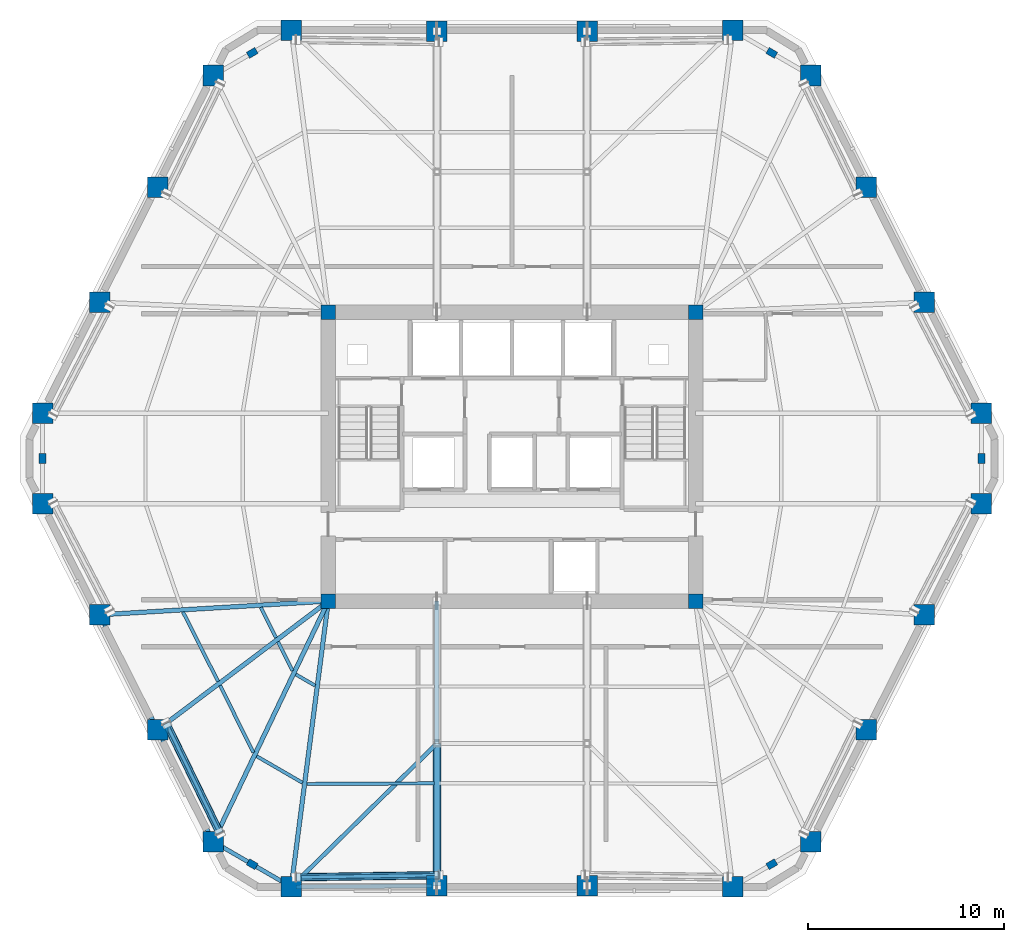
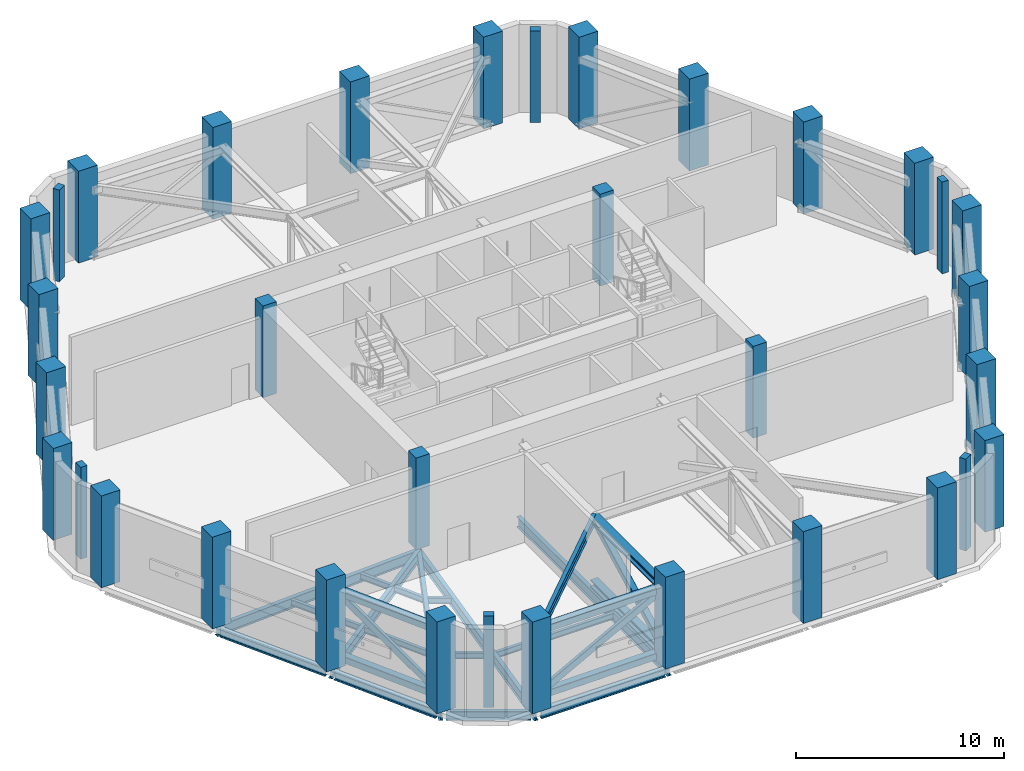
# One storey, part 1 of 15: 34 columns, 17 beams, 9 members.
"""IFC4 building model written with IfcOpenShell, lengths in metres."""

from ifc_helpers import new_model, si_unit, direction, frame, origin, origin_2d, place, context, subcontext, project, spatial, rectangle, hollow_rectangle, i_section, extrude, material, material_profile, profile_set, type_object, element, save


model = new_model("IFC4")

# Units and contexts
model_context = context("Model", 3, precision=1e-05, world=origin(), true_north=direction((0.0, 1.0)))
body_context = subcontext(model_context, "Body", "Model", "MODEL_VIEW")
ifc_project = project(units=[si_unit("LENGTHUNIT", "METRE"), si_unit("AREAUNIT", "SQUARE_METRE"), si_unit("VOLUMEUNIT", "CUBIC_METRE"), si_unit("PLANEANGLEUNIT", "RADIAN"), si_unit("MASSUNIT", "GRAM", prefix="KILO")], contexts=[model_context])

# Site, building, storey
site_placement = place(None, origin())
site = spatial("IfcSite", under=ifc_project, at=site_placement, CompositionType="ELEMENT")
building_placement = place(site_placement, origin())
building = spatial("IfcBuilding", under=site, at=building_placement, Name="Cinnabar Lancet Tower", CompositionType="ELEMENT")
storey_placement = place(building_placement, frame((0.0, 0.0, 148.10009765625)))
storey = spatial("IfcBuildingStorey", under=building, at=storey_placement, Name="L39", CompositionType="ELEMENT", Elevation=148.10009765625)

# Columns
ifc_material_1 = material(Name="Concrete C70/85", Category="concrete")
ifc_material_profile_1 = material_profile(ifc_material_1, rectangle(XDim=0.75, YDim=0.75, at=origin_2d()), Name="RC-COL 750x750")
ifc_profile_set_1 = profile_set([ifc_material_profile_1], Name="Concrete C70/85")
column_type_1 = type_object("IfcColumnType", Name="STR-COL-CORE-750", PredefinedType="COLUMN", material=ifc_profile_set_1)
for number, where, z_axis, x_axis, name in (
    (1, (23.02490234375, 18.52490234375, 0.0), (0.0, 0.0, 1.0), (1.0, 0.0, 0.0), "L39 Core Corner Column SW"),
    (2, (41.77490234375, 18.52490234375, 0.0), (0.0, 0.0, 1.0), (1.0, 0.0, 0.0), "L39 Core Corner Column SE"),
    (3, (41.77490234375, 33.27490234375, 0.0), (0.0, 0.0, 1.0), (1.0, 0.0, 0.0), "L39 Core Corner Column NE"),
    (4, (23.02490234375, 33.27490234375, 0.0), (0.0, 0.0, 1.0), (1.0, 0.0, 0.0), "L39 Core Corner Column NW"),
):
    element("IfcColumn", number, at=place(storey_placement, frame(where, z_axis=z_axis, x_axis=x_axis)), inside=storey, type_object=column_type_1, Name=name, PredefinedType="COLUMN", context=body_context, shape_type="SweptSolid", body=[
        extrude(rectangle(XDim=0.75, YDim=0.75, at=origin_2d()), origin(), (0.0, 0.0, 1.0), 5.39990234375),
    ])
ifc_material_2 = material(Name="Concrete C60/75", Category="concrete")
ifc_material_profile_2 = material_profile(ifc_material_2, rectangle(XDim=0.5, YDim=0.35009765625, at=origin_2d()), Name="RC-PIL 500x350")
ifc_profile_set_2 = profile_set([ifc_material_profile_2], Name="Concrete C60/75")
column_type_2 = type_object("IfcColumnType", Name="STR-COL-PIL-500", PredefinedType="PILASTER", material=ifc_profile_set_2)
for number, where, z_axis, x_axis, name in (
    (5, (19.14111328125, 5.093017578125, 0.0), (0.0, 0.0, 1.0), (0.865160173452, -0.501495637342, 0.0), "L39 Chamfered Corner Pilaster 1"),
    (6, (45.658935546875, 5.093017578125, 0.0), (0.0, 0.0, 1.0), (0.865160173452, 0.501495637342, 0.0), "L39 Chamfered Corner Pilaster 2"),
    (7, (56.35693359375, 25.800048828125, 0.0), (0.0, 0.0, 1.0), (0.0, 1.0, 0.0), "L39 Chamfered Corner Pilaster 3"),
    (8, (45.658935546875, 46.508056640625, 0.0), (0.0, 0.0, 1.0), (-0.865160173452, 0.501495637342, 0.0), "L39 Chamfered Corner Pilaster 4"),
    (9, (19.14111328125, 46.508056640625, 0.0), (0.0, 0.0, 1.0), (-0.865160173452, -0.501495637342, 0.0), "L39 Chamfered Corner Pilaster 5"),
    (10, (8.443115234375, 25.800048828125, 0.0), (0.0, 0.0, 1.0), (0.0, -1.0, 0.0), "L39 Chamfered Corner Pilaster 6"),
):
    element("IfcColumn", number, at=place(storey_placement, frame(where, z_axis=z_axis, x_axis=x_axis)), inside=storey, type_object=column_type_2, Name=name, PredefinedType="PILASTER", context=body_context, shape_type="SweptSolid", body=[
        extrude(rectangle(XDim=0.5, YDim=0.35009765625, at=origin_2d()), origin(), (0.0, 0.0, 1.0), 5.39990234375),
    ])
ifc_material_3 = material(Name="Concrete C70/85", Category="concrete")
ifc_material_profile_3 = material_profile(ifc_material_3, rectangle(XDim=1.050048828125, YDim=1.050048828125, at=origin_2d()), Name="RC-COL 1050x1050")
ifc_profile_set_3 = profile_set([ifc_material_profile_3], Name="Concrete C70/85")
column_type_3 = type_object("IfcColumnType", Name="STR-COL-TUBE-1050", PredefinedType="COLUMN", material=ifc_profile_set_3)
for number, where, z_axis, x_axis, name in (
    (11, (21.131103515625, 3.93896484375, 0.0), (0.0, 0.0, 1.0), (1.0, 0.0, 0.0), "L39 Perimeter Tube Column 1"),
    (12, (28.568115234375, 3.991943359375, 0.0), (0.0, 0.0, 1.0), (1.0, 0.0, 0.0), "L39 Perimeter Tube Column 2"),
    (13, (36.23193359375, 3.991943359375, 0.0), (0.0, 0.0, 1.0), (1.0, 0.0, 0.0), "L39 Perimeter Tube Column 3"),
    (14, (43.6689453125, 3.93896484375, 0.0), (0.0, 0.0, 1.0), (1.0, 0.0, 0.0), "L39 Perimeter Tube Column 4"),
    (15, (47.64892578125, 6.24609375, 0.0), (0.0, 0.0, 1.0), (1.0, 0.0, 0.0), "L39 Perimeter Tube Column 5"),
    (16, (50.489013671875, 11.955078125, 0.0), (0.0, 0.0, 1.0), (1.0, 0.0, 0.0), "L39 Perimeter Tube Column 6"),
    (17, (53.451904296875, 17.823974609375, 0.0), (0.0, 0.0, 1.0), (1.0, 0.0, 0.0), "L39 Perimeter Tube Column 7"),
    (18, (56.35693359375, 23.490966796875, 0.0), (0.0, 0.0, 1.0), (1.0, 0.0, 0.0), "L39 Perimeter Tube Column 8"),
    (19, (56.35693359375, 28.10888671875, 0.0), (0.0, 0.0, 1.0), (1.0, 0.0, 0.0), "L39 Perimeter Tube Column 9"),
    (20, (53.451904296875, 33.77587890625, 0.0), (0.0, 0.0, 1.0), (1.0, 0.0, 0.0), "L39 Perimeter Tube Column 10"),
    (21, (50.489013671875, 39.64501953125, 0.0), (0.0, 0.0, 1.0), (1.0, 0.0, 0.0), "L39 Perimeter Tube Column 11"),
    (22, (47.64892578125, 45.35400390625, 0.0), (0.0, 0.0, 1.0), (1.0, 0.0, 0.0), "L39 Perimeter Tube Column 12"),
    (23, (43.6689453125, 47.660888671875, 0.0), (0.0, 0.0, 1.0), (1.0, 0.0, 0.0), "L39 Perimeter Tube Column 13"),
    (24, (36.23193359375, 47.60791015625, 0.0), (0.0, 0.0, 1.0), (1.0, 0.0, 0.0), "L39 Perimeter Tube Column 14"),
    (25, (28.568115234375, 47.60791015625, 0.0), (0.0, 0.0, 1.0), (1.0, 0.0, 0.0), "L39 Perimeter Tube Column 15"),
    (26, (21.131103515625, 47.660888671875, 0.0), (0.0, 0.0, 1.0), (1.0, 0.0, 0.0), "L39 Perimeter Tube Column 16"),
    (27, (17.15087890625, 45.35400390625, 0.0), (0.0, 0.0, 1.0), (1.0, 0.0, 0.0), "L39 Perimeter Tube Column 17"),
    (28, (14.31103515625, 39.64501953125, 0.0), (0.0, 0.0, 1.0), (1.0, 0.0, 0.0), "L39 Perimeter Tube Column 18"),
    (29, (11.347900390625, 33.77587890625, 0.0), (0.0, 0.0, 1.0), (1.0, 0.0, 0.0), "L39 Perimeter Tube Column 19"),
    (30, (8.443115234375, 28.10888671875, 0.0), (0.0, 0.0, 1.0), (1.0, 0.0, 0.0), "L39 Perimeter Tube Column 20"),
    (31, (8.443115234375, 23.490966796875, 0.0), (0.0, 0.0, 1.0), (1.0, 0.0, 0.0), "L39 Perimeter Tube Column 21"),
    (32, (11.347900390625, 17.823974609375, 0.0), (0.0, 0.0, 1.0), (1.0, 0.0, 0.0), "L39 Perimeter Tube Column 22"),
    (33, (14.31103515625, 11.955078125, 0.0), (0.0, 0.0, 1.0), (1.0, 0.0, 0.0), "L39 Perimeter Tube Column 23"),
    (34, (17.15087890625, 6.24609375, 0.0), (0.0, 0.0, 1.0), (1.0, 0.0, 0.0), "L39 Perimeter Tube Column 24"),
):
    element("IfcColumn", number, at=place(storey_placement, frame(where, z_axis=z_axis, x_axis=x_axis)), inside=storey, type_object=column_type_3, Name=name, PredefinedType="COLUMN", context=body_context, shape_type="SweptSolid", body=[
        extrude(rectangle(XDim=1.050048828125, YDim=1.050048828125, at=origin_2d()), origin(), (0.0, 0.0, 1.0), 5.39990234375),
    ])

# Beams
ifc_material_4 = material(Name="Structural steel S355", Category="steel")
ifc_material_profile_4 = material_profile(ifc_material_4, i_section(OverallWidth=0.17138671875, OverallDepth=0.35498046875, WebThickness=0.00732421875, FlangeThickness=0.011474609375, FilletRadius=0.01025390625, at=origin_2d()), Name="UKB 356x171x51")
ifc_profile_set_4 = profile_set([ifc_material_profile_4], Name="Structural steel S355")
beam_type_1 = type_object("IfcBeamType", Name="STR-BM-JST-356", PredefinedType="JOIST", material=ifc_profile_set_4)
beam_1_placement = place(storey_placement, frame((15.60791015625, 17.965087890625, -0.4580078125), z_axis=(0.450755070916, -0.892647671841, 0.0), x_axis=(0.892647671841, 0.450755070916, 0.0)))
element("IfcBeam", 35, at=beam_1_placement, inside=storey, type_object=beam_type_1, Name="L39 Secondary Floor Joist 3", PredefinedType="JOIST", context=body_context, shape_type="SweptSolid", body=[
    extrude(i_section(OverallWidth=0.17138671875, OverallDepth=0.35498046875, WebThickness=0.00732421875, FlangeThickness=0.011474609375, FilletRadius=0.01025390625, at=origin_2d()), origin(), (0.0, 0.0, 1.0), 3.966796875),
])
beam_2_placement = place(storey_placement, frame((19.577880859375, 18.2041015625, -0.4580078125), z_axis=(0.450874341268, -0.892587434589, 0.0), x_axis=(0.892587434589, 0.450874341268, 0.0)))
element("IfcBeam", 36, at=beam_2_placement, inside=storey, type_object=beam_type_1, Name="L39 Secondary Floor Joist 4", PredefinedType="JOIST", context=body_context, shape_type="SweptSolid", body=[
    extrude(i_section(OverallWidth=0.17138671875, OverallDepth=0.35498046875, WebThickness=0.00732421875, FlangeThickness=0.011474609375, FilletRadius=0.01025390625, at=origin_2d()), origin(), (0.0, 0.0, 1.0), 1.732177734375),
])
beam_3_placement = place(storey_placement, frame((17.5, 14.216064453125, -0.4580078125), z_axis=(0.445295120803, -0.895383859241, 0.0), x_axis=(0.895383859241, 0.445295120803, 0.0)))
element("IfcBeam", 37, at=beam_3_placement, inside=storey, type_object=beam_type_1, Name="L39 Secondary Floor Joist 5", PredefinedType="JOIST", context=body_context, shape_type="SweptSolid", body=[
    extrude(i_section(OverallWidth=0.17138671875, OverallDepth=0.35498046875, WebThickness=0.00732421875, FlangeThickness=0.011474609375, FilletRadius=0.01025390625, at=origin_2d()), origin(), (0.0, 0.0, 1.0), 3.81982421875),
])
beam_4_placement = place(storey_placement, frame((20.4619140625, 16.449951171875, -0.4580078125), z_axis=(0.445557690111, -0.895253229418, 0.0), x_axis=(0.895253229418, 0.445557690111, 0.0)))
element("IfcBeam", 38, at=beam_4_placement, inside=storey, type_object=beam_type_1, Name="L39 Secondary Floor Joist 6", PredefinedType="JOIST", context=body_context, shape_type="SweptSolid", body=[
    extrude(i_section(OverallWidth=0.17138671875, OverallDepth=0.35498046875, WebThickness=0.00732421875, FlangeThickness=0.011474609375, FilletRadius=0.01025390625, at=origin_2d()), origin(), (0.0, 0.0, 1.0), 1.652099609375),
])
beam_5_placement = place(storey_placement, frame((19.364990234375, 10.60888671875, -0.4580078125), z_axis=(0.865172906898, -0.501473669469, 0.0), x_axis=(0.501473669469, 0.865172906898, 0.0)))
element("IfcBeam", 39, at=beam_5_placement, inside=storey, type_object=beam_type_1, Name="L39 Secondary Floor Joist 7", PredefinedType="JOIST", context=body_context, shape_type="SweptSolid", body=[
    extrude(i_section(OverallWidth=0.17138671875, OverallDepth=0.35498046875, WebThickness=0.00732421875, FlangeThickness=0.011474609375, FilletRadius=0.01025390625, at=origin_2d()), origin(), (0.0, 0.0, 1.0), 2.705810546875),
])
beam_6_placement = place(storey_placement, frame((21.362060546875, 14.783935546875, -0.4580078125), z_axis=(0.865055308165, -0.501676503154, 0.0), x_axis=(0.501676503154, 0.865055308165, 0.0)))
element("IfcBeam", 40, at=beam_6_placement, inside=storey, type_object=beam_type_1, Name="L39 Secondary Floor Joist 8", PredefinedType="JOIST", context=body_context, shape_type="SweptSolid", body=[
    extrude(i_section(OverallWidth=0.17138671875, OverallDepth=0.35498046875, WebThickness=0.00732421875, FlangeThickness=0.011474609375, FilletRadius=0.01025390625, at=origin_2d()), origin(), (0.0, 0.0, 1.0), 1.14208984375),
])
beam_7_placement = place(storey_placement, frame((21.927978515625, 9.19091796875, -0.4580078125), z_axis=(0.999987991898, 0.004900618269, 0.0), x_axis=(-0.004900618269, 0.999987991898, 0.0)))
element("IfcBeam", 41, at=beam_7_placement, inside=storey, type_object=beam_type_1, Name="L39 Secondary Floor Joist 9", PredefinedType="JOIST", context=body_context, shape_type="SweptSolid", body=[
    extrude(i_section(OverallWidth=0.17138671875, OverallDepth=0.35498046875, WebThickness=0.00732421875, FlangeThickness=0.011474609375, FilletRadius=0.01025390625, at=origin_2d()), origin(), (0.0, 0.0, 1.0), 6.526123046875),
])
ifc_material_5 = material(Name="Structural steel S355", Category="steel")
ifc_material_profile_5 = material_profile(ifc_material_5, i_section(OverallWidth=0.209228515625, OverallDepth=0.533203125, WebThickness=0.010009765625, FlangeThickness=0.015625, FilletRadius=0.0126953125, at=origin_2d()), Name="UKB 533x210x92")
ifc_profile_set_5 = profile_set([ifc_material_profile_5], Name="Structural steel S355")
beam_type_2 = type_object("IfcBeamType", Name="STR-BM-SPN-533", PredefinedType="SPANDREL", material=ifc_profile_set_5)
beam_8_placement = place(storey_placement, frame((21.381103515625, 3.94091796875, -0.547119140625), z_axis=(0.999974980359, 0.007073800628, 0.0), x_axis=(-0.007073800628, 0.999974980359, 0.0)))
element("IfcBeam", 42, at=beam_8_placement, inside=storey, type_object=beam_type_2, Name="L39 Perimeter Spandrel 1", PredefinedType="SPANDREL", context=body_context, shape_type="SweptSolid", body=[
    extrude(i_section(OverallWidth=0.209228515625, OverallDepth=0.533203125, WebThickness=0.010009765625, FlangeThickness=0.015625, FilletRadius=0.0126953125, at=origin_2d()), origin(), (0.0, 0.0, 1.0), 6.937255859375),
])
beam_9_placement = place(storey_placement, frame((11.4609375, 17.60107421875, -0.547119140625), z_axis=(0.450570325924, -0.892740937449, 0.0), x_axis=(0.892740937449, 0.450570325924, 0.0)))
element("IfcBeam", 43, at=beam_9_placement, inside=storey, type_object=beam_type_2, Name="L39 Perimeter Spandrel 22", PredefinedType="SPANDREL", context=body_context, shape_type="SweptSolid", body=[
    extrude(i_section(OverallWidth=0.209228515625, OverallDepth=0.533203125, WebThickness=0.010009765625, FlangeThickness=0.015625, FilletRadius=0.0126953125, at=origin_2d()), origin(), (0.0, 0.0, 1.0), 6.07470703125),
])
beam_10_placement = place(storey_placement, frame((14.422119140625, 11.73095703125, -0.547119140625), z_axis=(0.445501068635, -0.89528140707, 0.0), x_axis=(0.89528140707, 0.445501068635, 0.0)))
element("IfcBeam", 44, at=beam_10_placement, inside=storey, type_object=beam_type_2, Name="L39 Perimeter Spandrel 23", PredefinedType="SPANDREL", context=body_context, shape_type="SweptSolid", body=[
    extrude(i_section(OverallWidth=0.209228515625, OverallDepth=0.533203125, WebThickness=0.010009765625, FlangeThickness=0.015625, FilletRadius=0.0126953125, at=origin_2d()), origin(), (0.0, 0.0, 1.0), 5.87646484375),
])
beam_11_placement = place(storey_placement, frame((17.366943359375, 6.12109375, -0.547119140625), z_axis=(0.865112299906, -0.501578217781, 0.0), x_axis=(0.501578217781, 0.865112299906, 0.0)))
element("IfcBeam", 45, at=beam_11_placement, inside=storey, type_object=beam_type_2, Name="L39 Perimeter Spandrel 24", PredefinedType="SPANDREL", context=body_context, shape_type="SweptSolid", body=[
    extrude(i_section(OverallWidth=0.209228515625, OverallDepth=0.533203125, WebThickness=0.010009765625, FlangeThickness=0.015625, FilletRadius=0.0126953125, at=origin_2d()), origin(), (0.0, 0.0, 1.0), 4.101318359375),
])
ifc_material_6 = material(Name="Structural steel S355", Category="steel")
ifc_material_profile_6 = material_profile(ifc_material_6, i_section(OverallWidth=0.209228515625, OverallDepth=0.533203125, WebThickness=0.010009765625, FlangeThickness=0.015625, FilletRadius=0.0126953125, at=origin_2d()), Name="UKB 533x210x92")
ifc_profile_set_6 = profile_set([ifc_material_profile_6], Name="Structural steel S355")
beam_type_3 = type_object("IfcBeamType", Name="STR-BM-UKB533-92", PredefinedType="BEAM", material=ifc_profile_set_6)
beam_12_placement = place(storey_placement, frame((21.131103515625, 3.93896484375, 3.992919921875), z_axis=(0.712734700934, 0.701433707548, 0.0), x_axis=(-0.701433707548, 0.712734700934, 0.0)))
element("IfcBeam", 46, at=beam_12_placement, inside=storey, type_object=beam_type_3, Name="L39 Outrigger S Tie Beam 1", PredefinedType="BEAM", context=body_context, shape_type="SweptSolid", body=[
    extrude(i_section(OverallWidth=0.209228515625, OverallDepth=0.533203125, WebThickness=0.010009765625, FlangeThickness=0.015625, FilletRadius=0.0126953125, at=origin_2d()), origin(), (0.0, 0.0, 1.0), 10.4345703125),
])
ifc_material_7 = material(Name="Structural steel S355", Category="steel")
ifc_material_profile_7 = material_profile(ifc_material_7, i_section(OverallWidth=0.228271484375, OverallDepth=0.607666015625, WebThickness=0.010986328125, FlangeThickness=0.017333984375, FilletRadius=0.0126953125, at=origin_2d()), Name="UKB 610x229x113")
ifc_profile_set_7 = profile_set([ifc_material_profile_7], Name="Structural steel S355")
beam_type_4 = type_object("IfcBeamType", Name="STR-BM-UKB610-113", PredefinedType="BEAM", material=ifc_profile_set_7)
beam_13_placement = place(storey_placement, frame((14.31103515625, 11.955078125, -0.583984375), z_axis=(0.798483350078, 0.602016893158, 0.0), x_axis=(-0.602016893158, 0.798483350078, 0.0)))
element("IfcBeam", 47, at=beam_13_placement, inside=storey, type_object=beam_type_4, Name="L39 Corner Collector Girder 1", PredefinedType="BEAM", context=body_context, shape_type="SweptSolid", body=[
    extrude(i_section(OverallWidth=0.228271484375, OverallDepth=0.607666015625, WebThickness=0.010986328125, FlangeThickness=0.017333984375, FilletRadius=0.0126953125, at=origin_2d()), origin(), (0.0, 0.0, 1.0), 10.9130859375),
])
beam_14_placement = place(storey_placement, frame((21.131103515625, 3.93896484375, -0.583984375), z_axis=(0.128756570002, 0.991676230269, 0.0), x_axis=(-0.991676230269, 0.128756570002, 0.0)))
element("IfcBeam", 48, at=beam_14_placement, inside=storey, type_object=beam_type_4, Name="L39 Primary Floor Girder 1", PredefinedType="BEAM", context=body_context, shape_type="SweptSolid", body=[
    extrude(i_section(OverallWidth=0.228271484375, OverallDepth=0.607666015625, WebThickness=0.010986328125, FlangeThickness=0.017333984375, FilletRadius=0.0126953125, at=origin_2d()), origin(), (0.0, 0.0, 1.0), 14.708251953125),
])
beam_15_placement = place(storey_placement, frame((28.568115234375, 3.991943359375, -0.583984375), z_axis=(0.0, 1.0, 0.0), x_axis=(-1.0, 0.0, 0.0)))
element("IfcBeam", 49, at=beam_15_placement, inside=storey, type_object=beam_type_4, Name="L39 Primary Floor Girder 2", PredefinedType="BEAM", context=body_context, shape_type="SweptSolid", body=[
    extrude(i_section(OverallWidth=0.228271484375, OverallDepth=0.607666015625, WebThickness=0.010986328125, FlangeThickness=0.017333984375, FilletRadius=0.0126953125, at=origin_2d()), origin(), (0.0, 0.0, 1.0), 14.532958984375),
])
beam_16_placement = place(storey_placement, frame((11.347900390625, 17.823974609375, -0.583984375), z_axis=(0.998203272991, 0.059918492897, 0.0), x_axis=(-0.059918492897, 0.998203272991, 0.0)))
element("IfcBeam", 50, at=beam_16_placement, inside=storey, type_object=beam_type_4, Name="L39 Primary Floor Girder 22", PredefinedType="BEAM", context=body_context, shape_type="SweptSolid", body=[
    extrude(i_section(OverallWidth=0.228271484375, OverallDepth=0.607666015625, WebThickness=0.010986328125, FlangeThickness=0.017333984375, FilletRadius=0.0126953125, at=origin_2d()), origin(), (0.0, 0.0, 1.0), 11.697998046875),
])
beam_17_placement = place(storey_placement, frame((17.15087890625, 6.24609375, -0.583984375), z_axis=(0.431548156881, 0.902089900339, 0.0), x_axis=(-0.902089900339, 0.431548156881, 0.0)))
element("IfcBeam", 51, at=beam_17_placement, inside=storey, type_object=beam_type_4, Name="L39 Primary Floor Girder 24", PredefinedType="BEAM", context=body_context, shape_type="SweptSolid", body=[
    extrude(i_section(OverallWidth=0.228271484375, OverallDepth=0.607666015625, WebThickness=0.010986328125, FlangeThickness=0.017333984375, FilletRadius=0.0126953125, at=origin_2d()), origin(), (0.0, 0.0, 1.0), 13.611572265625),
])

# Members
ifc_material_8 = material(Name="Structural steel S460", Category="steel")
ifc_material_profile_8 = material_profile(ifc_material_8, hollow_rectangle(XDim=0.199951171875, YDim=0.39990234375, WallThickness=0.01611328125, InnerFilletRadius=0.008056640625, OuterFilletRadius=0.02392578125, at=origin_2d()), Name="RHS 400x200x16")
ifc_profile_set_8 = profile_set([ifc_material_profile_8], Name="Structural steel S460")
member_type_1 = type_object("IfcMemberType", Name="STR-MEM-BT-BRC400", PredefinedType="BRACE", material=ifc_profile_set_8)
member_1_placement = place(storey_placement, frame((21.383056640625, 4.427978515625, 0.219970703125), z_axis=(0.885434035283, 0.012887030796, 0.46458636829), x_axis=(-0.014552937375, 0.9998941004, 0.0)))
element("IfcMember", 52, at=member_1_placement, inside=storey, type_object=member_type_1, Name="L39 Belt Truss Face 1 Diagonal", PredefinedType="BRACE", context=body_context, shape_type="SweptSolid", body=[
    extrude(hollow_rectangle(XDim=0.199951171875, YDim=0.39990234375, WallThickness=0.01611328125, InnerFilletRadius=0.008056640625, OuterFilletRadius=0.02392578125, at=origin_2d()), origin(), (0.0, 0.0, 1.0), 8.221923828125),
])
member_2_placement = place(storey_placement, frame((14.748046875, 12.2890625, 4.039794921875), z_axis=(0.374505266708, -0.76638981942, -0.521912300964), x_axis=(0.898464927325, 0.439045298763, 0.0)))
element("IfcMember", 53, at=member_2_placement, inside=storey, type_object=member_type_1, Name="L39 Belt Truss Face 6 Diagonal", PredefinedType="BRACE", context=body_context, shape_type="SweptSolid", body=[
    extrude(hollow_rectangle(XDim=0.199951171875, YDim=0.39990234375, WallThickness=0.01611328125, InnerFilletRadius=0.008056640625, OuterFilletRadius=0.02392578125, at=origin_2d()), origin(), (0.0, 0.0, 1.0), 7.31884765625),
])
ifc_material_9 = material(Name="Structural steel S460", Category="steel")
ifc_material_profile_9 = material_profile(ifc_material_9, hollow_rectangle(XDim=0.39990234375, YDim=0.39990234375, WallThickness=0.02001953125, InnerFilletRadius=0.010009765625, OuterFilletRadius=0.030029296875, at=origin_2d()), Name="SHS 400x400x20")
ifc_profile_set_9 = profile_set([ifc_material_profile_9], Name="Structural steel S460")
member_type_2 = type_object("IfcMemberType", Name="STR-MEM-BT-CHD400", PredefinedType="CHORD", material=ifc_profile_set_9)
for number, where, z_axis, x_axis, name in (
    (54, (21.383056640625, 4.427978515625, 0.219970703125), (0.9998941004, 0.014552937375, 0.0), (-0.014552937375, 0.9998941004, 0.0), "L39 Belt Truss Face 1 Chord BC"),
    (55, (21.383056640625, 4.427978515625, 4.039794921875), (0.9998941004, 0.014552937375, 0.0), (-0.014552937375, 0.9998941004, 0.0), "L39 Belt Truss Face 1 Chord TC"),
):
    element("IfcMember", number, at=place(storey_placement, frame(where, z_axis=z_axis, x_axis=x_axis)), inside=storey, type_object=member_type_2, Name=name, PredefinedType="CHORD", context=body_context, shape_type="SweptSolid", body=[
        extrude(hollow_rectangle(XDim=0.39990234375, YDim=0.39990234375, WallThickness=0.02001953125, InnerFilletRadius=0.010009765625, OuterFilletRadius=0.030029296875, at=origin_2d()), origin(), (0.0, 0.0, 1.0), 7.28076171875),
    ])
for number, where, z_axis, x_axis, name in (
    (56, (14.748046875, 12.2890625, 0.219970703125), (0.439045298763, -0.898464927325, 0.0), (0.898464927325, 0.439045298763, 0.0), "L39 Belt Truss Face 6 Chord BC"),
    (57, (14.748046875, 12.2890625, 4.039794921875), (0.439045298763, -0.898464927325, 0.0), (0.898464927325, 0.439045298763, 0.0), "L39 Belt Truss Face 6 Chord TC"),
):
    element("IfcMember", number, at=place(storey_placement, frame(where, z_axis=z_axis, x_axis=x_axis)), inside=storey, type_object=member_type_2, Name=name, PredefinedType="CHORD", context=body_context, shape_type="SweptSolid", body=[
        extrude(hollow_rectangle(XDim=0.39990234375, YDim=0.39990234375, WallThickness=0.02001953125, InnerFilletRadius=0.010009765625, OuterFilletRadius=0.030029296875, at=origin_2d()), origin(), (0.0, 0.0, 1.0), 6.242919921875),
    ])
ifc_material_10 = material(Name="Structural steel S460", Category="steel")
ifc_material_profile_10 = material_profile(ifc_material_10, hollow_rectangle(XDim=0.35009765625, YDim=0.35009765625, WallThickness=0.01611328125, InnerFilletRadius=0.008056640625, OuterFilletRadius=0.02392578125, at=origin_2d()), Name="SHS 350x350x16")
ifc_profile_set_10 = profile_set([ifc_material_profile_10], Name="Structural steel S460")
member_type_3 = type_object("IfcMemberType", Name="STR-MEM-OT-BRC350", PredefinedType="BRACE", material=ifc_profile_set_10)
member_3_placement = place(storey_placement, frame((28.568115234375, 11.258056640625, 4.039794921875), z_axis=(0.0, -0.885141336938, -0.465322268588), x_axis=(1.0, 0.0, 0.0)))
element("IfcMember", 58, at=member_3_placement, inside=storey, type_object=member_type_3, Name="L39 Outrigger Truss 1 Diagonal 2", PredefinedType="BRACE", context=body_context, shape_type="SweptSolid", body=[
    extrude(hollow_rectangle(XDim=0.35009765625, YDim=0.35009765625, WallThickness=0.01611328125, InnerFilletRadius=0.008056640625, OuterFilletRadius=0.02392578125, at=origin_2d()), origin(), (0.0, 0.0, 1.0), 8.208984375),
])
ifc_material_11 = material(Name="Structural steel S460", Category="steel")
ifc_material_profile_11 = material_profile(ifc_material_11, i_section(OverallWidth=0.412109375, OverallDepth=0.43505859375, WebThickness=0.035888671875, FlangeThickness=0.05810546875, FilletRadius=0.014892578125, at=origin_2d()), Name="HD 400x463")
ifc_profile_set_11 = profile_set([ifc_material_profile_11], Name="Structural steel S460")
member_type_4 = type_object("IfcMemberType", Name="STR-MEM-OT-CHD463", PredefinedType="CHORD", material=ifc_profile_set_11)
for number, where, z_axis, x_axis, name in (
    (59, (28.568115234375, 11.258056640625, 0.219970703125), (0.0, -1.0, 0.0), (1.0, 0.0, 0.0), "L39 Outrigger Truss 1 Chord BC2"),
    (60, (28.568115234375, 11.258056640625, 4.039794921875), (0.0, -1.0, 0.0), (1.0, 0.0, 0.0), "L39 Outrigger Truss 1 Chord TC2"),
):
    element("IfcMember", number, at=place(storey_placement, frame(where, z_axis=z_axis, x_axis=x_axis)), inside=storey, type_object=member_type_4, Name=name, PredefinedType="CHORD", context=body_context, shape_type="SweptSolid", body=[
        extrude(i_section(OverallWidth=0.412109375, OverallDepth=0.43505859375, WebThickness=0.035888671875, FlangeThickness=0.05810546875, FilletRadius=0.014892578125, at=origin_2d()), origin(), (0.0, 0.0, 1.0), 7.26611328125),
    ])

save(model, "model.ifc")
